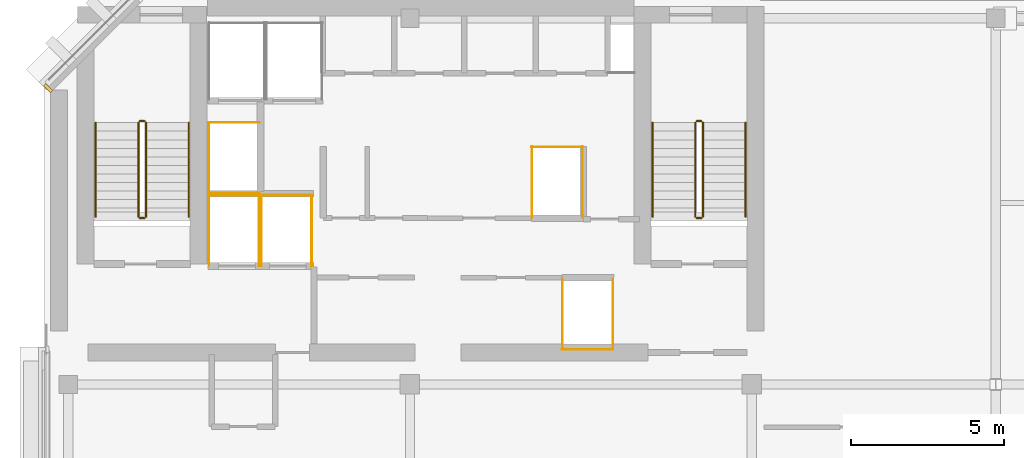
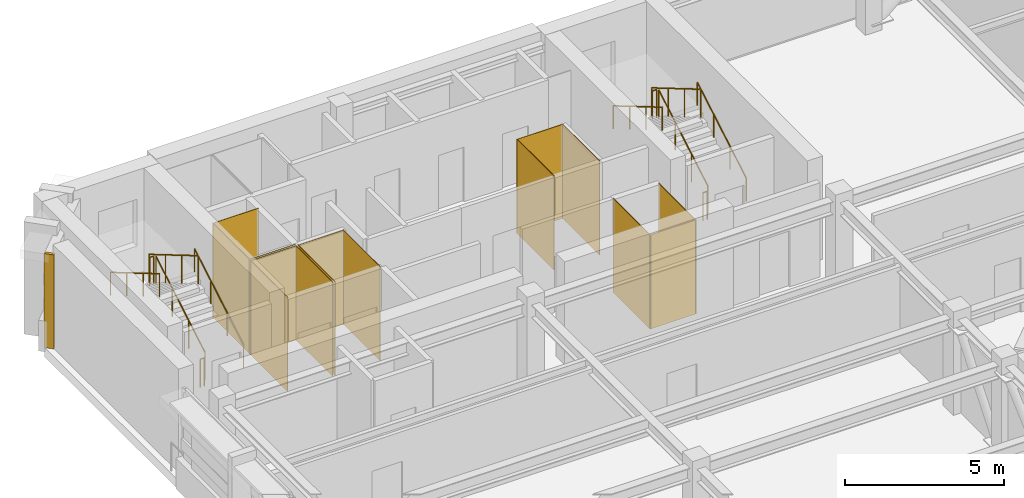
# One storey, part 8 of 9: 16 coverings, 12 railings.
"""IFC4 building model written with IfcOpenShell, lengths in metres."""

from ifc_helpers import new_model, si_unit, direction, frame, origin, origin_2d, place, context, subcontext, project, spatial, polyline, rectangle, circle, outline, extrude, material, layer, layer_set, type_object, element, save


model = new_model("IFC4")

# Units and contexts
model_context = context("Model", 3, precision=1e-05, world=origin(), true_north=direction((0.0, 1.0)))
body_context = subcontext(model_context, "Body", "Model", "MODEL_VIEW")
ifc_project = project(units=[si_unit("LENGTHUNIT", "METRE"), si_unit("AREAUNIT", "SQUARE_METRE"), si_unit("VOLUMEUNIT", "CUBIC_METRE"), si_unit("PLANEANGLEUNIT", "RADIAN"), si_unit("MASSUNIT", "GRAM", prefix="KILO")], contexts=[model_context])

# Site, building, storey
site_placement = place(None, origin())
site = spatial("IfcSite", under=ifc_project, at=site_placement, CompositionType="ELEMENT")
building_placement = place(site_placement, origin())
building = spatial("IfcBuilding", under=site, at=building_placement, Name="Kefirva Bronze Tower", CompositionType="ELEMENT")
storey_placement = place(building_placement, frame((0.0, 0.0, 365.969970703125)))
storey = spatial("IfcBuildingStorey", under=building, at=storey_placement, Name="L89", CompositionType="ELEMENT", Elevation=365.969970703125)

# Coverings
ifc_material_1 = material(Name="Bronze anodised aluminium", Category="aluminium")
ifc_layer = layer(ifc_material_1, 0.02001953125, Name="Bronze anodised aluminium")
ifc_layer_set = layer_set([ifc_layer], Name="Bronze anodised aluminium")
covering_type = type_object("IfcCoveringType", Name="Anodised Bronze Spandrel Cladding 20mm", PredefinedType="CLADDING", material=ifc_layer_set)
covering_1_placement = place(storey_placement, frame((0.137939453125, 42.91162109375, 0.0), z_axis=(0.0, 0.0, 1.0), x_axis=(-0.707106781187, -0.707106781187, 0.0)))
element("IfcCovering", 1, at=covering_1_placement, inside=storey, type_object=covering_type, Name="L89 Facade Joint Closure Panel 6E", PredefinedType="CLADDING", context=body_context, shape_type="SweptSolid", body=[
    extrude(rectangle(XDim=0.10009765625, YDim=0.320068359375, at=origin_2d()), origin(), (0.0, 0.0, 1.0), 3.610107421875),
])
covering_2_placement = place(storey_placement, origin())
element("IfcCovering", 2, at=covering_2_placement, inside=storey, type_object=covering_type, Name="L89 Lift FF1 Hoistway Liner N", PredefinedType="CLADDING", context=body_context, shape_type="SweptSolid", body=[
    extrude(outline(polyline([(5.39990234375, 39.389892578125), (7.080078125, 39.389892578125), (7.080078125, 39.409912109375), (5.39990234375, 39.409912109375), (5.39990234375, 39.389892578125)])), origin(), (0.0, 0.0, 1.0), 3.610107421875),
])
covering_3_placement = place(storey_placement, origin())
element("IfcCovering", 3, at=covering_3_placement, inside=storey, type_object=covering_type, Name="L89 Lift FF1 Hoistway Liner W", PredefinedType="CLADDING", context=body_context, shape_type="SweptSolid", body=[
    extrude(outline(polyline([(5.409912109375, 37.080078125), (5.429931640625, 37.080078125), (5.429931640625, 39.419921875), (5.409912109375, 39.419921875), (5.409912109375, 37.080078125)])), origin(), (0.0, 0.0, 1.0), 3.610107421875),
])
covering_4_placement = place(storey_placement, origin())
element("IfcCovering", 4, at=covering_4_placement, inside=storey, type_object=covering_type, Name="L89 Lift FF1 Hoistway Liner E", PredefinedType="CLADDING", context=body_context, shape_type="SweptSolid", body=[
    extrude(outline(polyline([(7.050048828125, 37.080078125), (7.070068359375, 37.080078125), (7.070068359375, 39.419921875), (7.050048828125, 39.419921875), (7.050048828125, 37.080078125)])), origin(), (0.0, 0.0, 1.0), 3.610107421875),
])
covering_5_placement = place(storey_placement, origin())
element("IfcCovering", 5, at=covering_5_placement, inside=storey, type_object=covering_type, Name="L89 Lift FF2 Hoistway Liner N", PredefinedType="CLADDING", context=body_context, shape_type="SweptSolid", body=[
    extrude(outline(polyline([(7.1201171875, 39.389892578125), (8.800048828125, 39.389892578125), (8.800048828125, 39.409912109375), (7.1201171875, 39.409912109375), (7.1201171875, 39.389892578125)])), origin(), (0.0, 0.0, 1.0), 3.610107421875),
])
covering_6_placement = place(storey_placement, origin())
element("IfcCovering", 6, at=covering_6_placement, inside=storey, type_object=covering_type, Name="L89 Lift FF2 Hoistway Liner W", PredefinedType="CLADDING", context=body_context, shape_type="SweptSolid", body=[
    extrude(outline(polyline([(7.1298828125, 37.080078125), (7.14990234375, 37.080078125), (7.14990234375, 39.419921875), (7.1298828125, 39.419921875), (7.1298828125, 37.080078125)])), origin(), (0.0, 0.0, 1.0), 3.610107421875),
])
covering_7_placement = place(storey_placement, origin())
element("IfcCovering", 7, at=covering_7_placement, inside=storey, type_object=covering_type, Name="L89 Lift FF2 Hoistway Liner E", PredefinedType="CLADDING", context=body_context, shape_type="SweptSolid", body=[
    extrude(outline(polyline([(8.77001953125, 37.080078125), (8.7900390625, 37.080078125), (8.7900390625, 39.419921875), (8.77001953125, 39.419921875), (8.77001953125, 37.080078125)])), origin(), (0.0, 0.0, 1.0), 3.610107421875),
])
covering_8_placement = place(storey_placement, origin())
element("IfcCovering", 8, at=covering_8_placement, inside=storey, type_object=covering_type, Name="L89 Lift HP1 Hoistway Liner S", PredefinedType="CLADDING", context=body_context, shape_type="SweptSolid", body=[
    extrude(outline(polyline([(16.97998046875, 34.340087890625), (18.669921875, 34.340087890625), (18.669921875, 34.360107421875), (16.97998046875, 34.360107421875), (16.97998046875, 34.340087890625)])), origin(), (0.0, 0.0, 1.0), 3.610107421875),
])
covering_9_placement = place(storey_placement, origin())
element("IfcCovering", 9, at=covering_9_placement, inside=storey, type_object=covering_type, Name="L89 Lift HP1 Hoistway Liner W", PredefinedType="CLADDING", context=body_context, shape_type="SweptSolid", body=[
    extrude(outline(polyline([(16.989990234375, 34.330078125), (17.010009765625, 34.330078125), (17.010009765625, 36.669921875), (16.989990234375, 36.669921875), (16.989990234375, 34.330078125)])), origin(), (0.0, 0.0, 1.0), 3.610107421875),
])
covering_10_placement = place(storey_placement, origin())
element("IfcCovering", 10, at=covering_10_placement, inside=storey, type_object=covering_type, Name="L89 Lift HP1 Hoistway Liner E", PredefinedType="CLADDING", context=body_context, shape_type="SweptSolid", body=[
    extrude(outline(polyline([(18.639892578125, 34.330078125), (18.659912109375, 34.330078125), (18.659912109375, 36.669921875), (18.639892578125, 36.669921875), (18.639892578125, 34.330078125)])), origin(), (0.0, 0.0, 1.0), 3.610107421875),
])
covering_11_placement = place(storey_placement, origin())
element("IfcCovering", 11, at=covering_11_placement, inside=storey, type_object=covering_type, Name="L89 Lift HP2 Hoistway Liner N", PredefinedType="CLADDING", context=body_context, shape_type="SweptSolid", body=[
    extrude(outline(polyline([(15.97998046875, 40.969970703125), (17.669921875, 40.969970703125), (17.669921875, 40.989990234375), (15.97998046875, 40.989990234375), (15.97998046875, 40.969970703125)])), origin(), (0.0, 0.0, 1.0), 3.610107421875),
])
covering_12_placement = place(storey_placement, origin())
element("IfcCovering", 12, at=covering_12_placement, inside=storey, type_object=covering_type, Name="L89 Lift HP2 Hoistway Liner W", PredefinedType="CLADDING", context=body_context, shape_type="SweptSolid", body=[
    extrude(outline(polyline([(15.989990234375, 38.659912109375), (16.010009765625, 38.659912109375), (16.010009765625, 41.0), (15.989990234375, 41.0), (15.989990234375, 38.659912109375)])), origin(), (0.0, 0.0, 1.0), 3.610107421875),
])
covering_13_placement = place(storey_placement, origin())
element("IfcCovering", 13, at=covering_13_placement, inside=storey, type_object=covering_type, Name="L89 Lift HP2 Hoistway Liner E", PredefinedType="CLADDING", context=body_context, shape_type="SweptSolid", body=[
    extrude(outline(polyline([(17.639892578125, 38.659912109375), (17.659912109375, 38.659912109375), (17.659912109375, 41.0), (17.639892578125, 41.0), (17.639892578125, 38.659912109375)])), origin(), (0.0, 0.0, 1.0), 3.610107421875),
])
covering_14_placement = place(storey_placement, origin())
element("IfcCovering", 14, at=covering_14_placement, inside=storey, type_object=covering_type, Name="L89 Lift HP3 Hoistway Liner N", PredefinedType="CLADDING", context=body_context, shape_type="SweptSolid", body=[
    extrude(outline(polyline([(5.39990234375, 41.77001953125), (7.080078125, 41.77001953125), (7.080078125, 41.7900390625), (5.39990234375, 41.7900390625), (5.39990234375, 41.77001953125)])), origin(), (0.0, 0.0, 1.0), 3.610107421875),
])
covering_15_placement = place(storey_placement, origin())
element("IfcCovering", 15, at=covering_15_placement, inside=storey, type_object=covering_type, Name="L89 Lift HP3 Hoistway Liner S", PredefinedType="CLADDING", context=body_context, shape_type="SweptSolid", body=[
    extrude(outline(polyline([(5.39990234375, 39.469970703125), (7.080078125, 39.469970703125), (7.080078125, 39.489990234375), (5.39990234375, 39.489990234375), (5.39990234375, 39.469970703125)])), origin(), (0.0, 0.0, 1.0), 3.610107421875),
])
covering_16_placement = place(storey_placement, origin())
element("IfcCovering", 16, at=covering_16_placement, inside=storey, type_object=covering_type, Name="L89 Lift HP3 Hoistway Liner W", PredefinedType="CLADDING", context=body_context, shape_type="SweptSolid", body=[
    extrude(outline(polyline([(5.409912109375, 39.4599609375), (5.429931640625, 39.4599609375), (5.429931640625, 41.800048828125), (5.409912109375, 41.800048828125), (5.409912109375, 39.4599609375)])), origin(), (0.0, 0.0, 1.0), 3.610107421875),
])

# Railings
ifc_material_2 = material(Name="Stainless steel 316", Category="steel")
railing_type_1 = type_object("IfcRailingType", Name="Interior Stair Guardrail 1100mm", PredefinedType="GUARDRAIL", material=ifc_material_2)
railing_1_placement = place(storey_placement, frame((3.35009765625, 38.699951171875, 0.1650390625)))
element("IfcRailing", 17, at=railing_1_placement, inside=storey, type_object=railing_type_1, Name="L89 ST-1 stair guard 1", PredefinedType="GUARDRAIL", context=body_context, shape_type="SweptSolid", body=[
    extrude(circle(Radius=0.02392578125, at=origin_2d()), frame((0.0, 0.0, 1.076171875), z_axis=(0.0, 0.861551262678, 0.507670583921), x_axis=(-1.0, 0.0, 0.0)), (0.0, 0.0, 1.0), 3.574951171875),
    extrude(circle(Radius=0.02099609375, at=origin_2d()), origin(), (0.0, 0.0, 1.0), 1.052001953125),
    extrude(circle(Radius=0.02099609375, at=origin_2d()), frame((0.0, 1.026611328125, 0.60498046875)), (0.0, 0.0, 1.0), 1.052001953125),
    extrude(circle(Radius=0.02099609375, at=origin_2d()), frame((0.0, 2.053466796875, 1.2099609375)), (0.0, 0.0, 1.0), 1.052001953125),
    extrude(circle(Radius=0.02099609375, at=origin_2d()), frame((0.0, 3.080078125, 1.81494140625)), (0.0, 0.0, 1.0), 1.052001953125),
])
railing_2_placement = place(storey_placement, frame((3.300048828125, 41.830078125, 1.97998046875)))
element("IfcRailing", 18, at=railing_2_placement, inside=storey, type_object=railing_type_1, Name="L89 ST-1 stair guard 2", PredefinedType="GUARDRAIL", context=body_context, shape_type="SweptSolid", body=[
    extrude(circle(Radius=0.02392578125, at=origin_2d()), frame((0.0, 0.0, 1.076171875), z_axis=(-1.0, 0.0, 0.0), x_axis=(0.0, -1.0, 0.0)), (0.0, 0.0, 1.0), 0.150146484375),
    extrude(circle(Radius=0.02099609375, at=origin_2d()), origin(), (0.0, 0.0, 1.0), 1.052001953125),
    extrude(circle(Radius=0.02099609375, at=origin_2d()), frame((-0.150146484375, 0.0, 0.0)), (0.0, 0.0, 1.0), 1.052001953125),
])
railing_3_placement = place(storey_placement, frame((3.10009765625, 41.780029296875, 2.14501953125)))
element("IfcRailing", 19, at=railing_3_placement, inside=storey, type_object=railing_type_1, Name="L89 ST-1 stair guard 3", PredefinedType="GUARDRAIL", context=body_context, shape_type="SweptSolid", body=[
    extrude(circle(Radius=0.02392578125, at=origin_2d()), frame((0.0, 0.0, 1.076171875), z_axis=(0.0, -0.861551262678, 0.507670583921), x_axis=(1.0, 0.0, 0.0)), (0.0, 0.0, 1.0), 3.574951171875),
    extrude(circle(Radius=0.02099609375, at=origin_2d()), origin(), (0.0, 0.0, 1.0), 1.052001953125),
    extrude(circle(Radius=0.02099609375, at=origin_2d()), frame((0.0, -1.026611328125, 0.60498046875)), (0.0, 0.0, 1.0), 1.052001953125),
    extrude(circle(Radius=0.02099609375, at=origin_2d()), frame((0.0, -2.053466796875, 1.2099609375)), (0.0, 0.0, 1.0), 1.052001953125),
    extrude(circle(Radius=0.02099609375, at=origin_2d()), frame((0.0, -3.080078125, 1.81494140625)), (0.0, 0.0, 1.0), 1.052001953125),
])
railing_4_placement = place(storey_placement, frame((3.300048828125, 38.64990234375, 0.0)))
element("IfcRailing", 20, at=railing_4_placement, inside=storey, type_object=railing_type_1, Name="L89 ST-1 stair guard 4", PredefinedType="GUARDRAIL", context=body_context, shape_type="SweptSolid", body=[
    extrude(circle(Radius=0.02392578125, at=origin_2d()), frame((0.0, 0.0, 1.076171875), z_axis=(-1.0, 0.0, 0.0), x_axis=(0.0, -1.0, 0.0)), (0.0, 0.0, 1.0), 0.150146484375),
    extrude(circle(Radius=0.02099609375, at=origin_2d()), origin(), (0.0, 0.0, 1.0), 1.052001953125),
    extrude(circle(Radius=0.02099609375, at=origin_2d()), frame((-0.150146484375, 0.0, 0.0)), (0.0, 0.0, 1.0), 1.052001953125),
])
railing_5_placement = place(storey_placement, frame((21.60009765625, 38.699951171875, 0.1650390625)))
element("IfcRailing", 21, at=railing_5_placement, inside=storey, type_object=railing_type_1, Name="L89 ST-2 stair guard 1", PredefinedType="GUARDRAIL", context=body_context, shape_type="SweptSolid", body=[
    extrude(circle(Radius=0.02392578125, at=origin_2d()), frame((0.0, 0.0, 1.076171875), z_axis=(0.0, 0.861551262678, 0.507670583921), x_axis=(-1.0, 0.0, 0.0)), (0.0, 0.0, 1.0), 3.574951171875),
    extrude(circle(Radius=0.02099609375, at=origin_2d()), origin(), (0.0, 0.0, 1.0), 1.052001953125),
    extrude(circle(Radius=0.02099609375, at=origin_2d()), frame((0.0, 1.026611328125, 0.60498046875)), (0.0, 0.0, 1.0), 1.052001953125),
    extrude(circle(Radius=0.02099609375, at=origin_2d()), frame((0.0, 2.053466796875, 1.2099609375)), (0.0, 0.0, 1.0), 1.052001953125),
    extrude(circle(Radius=0.02099609375, at=origin_2d()), frame((0.0, 3.080078125, 1.81494140625)), (0.0, 0.0, 1.0), 1.052001953125),
])
railing_6_placement = place(storey_placement, frame((21.550048828125, 41.830078125, 1.97998046875)))
element("IfcRailing", 22, at=railing_6_placement, inside=storey, type_object=railing_type_1, Name="L89 ST-2 stair guard 2", PredefinedType="GUARDRAIL", context=body_context, shape_type="SweptSolid", body=[
    extrude(circle(Radius=0.02392578125, at=origin_2d()), frame((0.0, 0.0, 1.076171875), z_axis=(-1.0, 0.0, 0.0), x_axis=(0.0, -1.0, 0.0)), (0.0, 0.0, 1.0), 0.150146484375),
    extrude(circle(Radius=0.02099609375, at=origin_2d()), origin(), (0.0, 0.0, 1.0), 1.052001953125),
    extrude(circle(Radius=0.02099609375, at=origin_2d()), frame((-0.150146484375, 0.0, 0.0)), (0.0, 0.0, 1.0), 1.052001953125),
])
railing_7_placement = place(storey_placement, frame((21.35009765625, 41.780029296875, 2.14501953125)))
element("IfcRailing", 23, at=railing_7_placement, inside=storey, type_object=railing_type_1, Name="L89 ST-2 stair guard 3", PredefinedType="GUARDRAIL", context=body_context, shape_type="SweptSolid", body=[
    extrude(circle(Radius=0.02392578125, at=origin_2d()), frame((0.0, 0.0, 1.076171875), z_axis=(0.0, -0.861551262678, 0.507670583921), x_axis=(1.0, 0.0, 0.0)), (0.0, 0.0, 1.0), 3.574951171875),
    extrude(circle(Radius=0.02099609375, at=origin_2d()), origin(), (0.0, 0.0, 1.0), 1.052001953125),
    extrude(circle(Radius=0.02099609375, at=origin_2d()), frame((0.0, -1.026611328125, 0.60498046875)), (0.0, 0.0, 1.0), 1.052001953125),
    extrude(circle(Radius=0.02099609375, at=origin_2d()), frame((0.0, -2.053466796875, 1.2099609375)), (0.0, 0.0, 1.0), 1.052001953125),
    extrude(circle(Radius=0.02099609375, at=origin_2d()), frame((0.0, -3.080078125, 1.81494140625)), (0.0, 0.0, 1.0), 1.052001953125),
])
railing_8_placement = place(storey_placement, frame((21.550048828125, 38.64990234375, 0.0)))
element("IfcRailing", 24, at=railing_8_placement, inside=storey, type_object=railing_type_1, Name="L89 ST-2 stair guard 4", PredefinedType="GUARDRAIL", context=body_context, shape_type="SweptSolid", body=[
    extrude(circle(Radius=0.02392578125, at=origin_2d()), frame((0.0, 0.0, 1.076171875), z_axis=(-1.0, 0.0, 0.0), x_axis=(0.0, -1.0, 0.0)), (0.0, 0.0, 1.0), 0.150146484375),
    extrude(circle(Radius=0.02099609375, at=origin_2d()), origin(), (0.0, 0.0, 1.0), 1.052001953125),
    extrude(circle(Radius=0.02099609375, at=origin_2d()), frame((-0.150146484375, 0.0, 0.0)), (0.0, 0.0, 1.0), 1.052001953125),
])
railing_type_2 = type_object("IfcRailingType", Name="Stair Pitch Handrail 900mm", PredefinedType="HANDRAIL", material=ifc_material_2)
railing_9_placement = place(storey_placement, frame((4.75, 38.699951171875, 0.1650390625)))
element("IfcRailing", 25, at=railing_9_placement, inside=storey, type_object=railing_type_2, Name="L89 ST-1 stair handrail 1", PredefinedType="HANDRAIL", context=body_context, shape_type="SweptSolid", body=[
    extrude(circle(Radius=0.02392578125, at=origin_2d()), frame((0.0, 0.0, 0.8759765625), z_axis=(0.0, 0.861551262678, 0.507670583921), x_axis=(-1.0, 0.0, 0.0)), (0.0, 0.0, 1.0), 3.574951171875),
    extrude(circle(Radius=0.02099609375, at=origin_2d()), origin(), (0.0, 0.0, 1.0), 0.851806640625),
    extrude(circle(Radius=0.02099609375, at=origin_2d()), frame((0.0, 1.026611328125, 0.60498046875)), (0.0, 0.0, 1.0), 0.851806640625),
    extrude(circle(Radius=0.02099609375, at=origin_2d()), frame((0.0, 2.053466796875, 1.2099609375)), (0.0, 0.0, 1.0), 0.851806640625),
    extrude(circle(Radius=0.02099609375, at=origin_2d()), frame((0.0, 3.080078125, 1.81494140625)), (0.0, 0.0, 1.0), 0.851806640625),
])
railing_10_placement = place(storey_placement, frame((1.699951171875, 41.780029296875, 2.14501953125)))
element("IfcRailing", 26, at=railing_10_placement, inside=storey, type_object=railing_type_2, Name="L89 ST-1 stair handrail 2", PredefinedType="HANDRAIL", context=body_context, shape_type="SweptSolid", body=[
    extrude(circle(Radius=0.02392578125, at=origin_2d()), frame((0.0, 0.0, 0.8759765625), z_axis=(0.0, -0.861551262678, 0.507670583921), x_axis=(1.0, 0.0, 0.0)), (0.0, 0.0, 1.0), 3.574951171875),
    extrude(circle(Radius=0.02099609375, at=origin_2d()), origin(), (0.0, 0.0, 1.0), 0.851806640625),
    extrude(circle(Radius=0.02099609375, at=origin_2d()), frame((0.0, -1.026611328125, 0.60498046875)), (0.0, 0.0, 1.0), 0.851806640625),
    extrude(circle(Radius=0.02099609375, at=origin_2d()), frame((0.0, -2.053466796875, 1.2099609375)), (0.0, 0.0, 1.0), 0.851806640625),
    extrude(circle(Radius=0.02099609375, at=origin_2d()), frame((0.0, -3.080078125, 1.81494140625)), (0.0, 0.0, 1.0), 0.851806640625),
])
railing_11_placement = place(storey_placement, frame((23.0, 38.699951171875, 0.1650390625)))
element("IfcRailing", 27, at=railing_11_placement, inside=storey, type_object=railing_type_2, Name="L89 ST-2 stair handrail 1", PredefinedType="HANDRAIL", context=body_context, shape_type="SweptSolid", body=[
    extrude(circle(Radius=0.02392578125, at=origin_2d()), frame((0.0, 0.0, 0.8759765625), z_axis=(0.0, 0.861551262678, 0.507670583921), x_axis=(-1.0, 0.0, 0.0)), (0.0, 0.0, 1.0), 3.574951171875),
    extrude(circle(Radius=0.02099609375, at=origin_2d()), origin(), (0.0, 0.0, 1.0), 0.851806640625),
    extrude(circle(Radius=0.02099609375, at=origin_2d()), frame((0.0, 1.026611328125, 0.60498046875)), (0.0, 0.0, 1.0), 0.851806640625),
    extrude(circle(Radius=0.02099609375, at=origin_2d()), frame((0.0, 2.053466796875, 1.2099609375)), (0.0, 0.0, 1.0), 0.851806640625),
    extrude(circle(Radius=0.02099609375, at=origin_2d()), frame((0.0, 3.080078125, 1.81494140625)), (0.0, 0.0, 1.0), 0.851806640625),
])
railing_12_placement = place(storey_placement, frame((19.949951171875, 41.780029296875, 2.14501953125)))
element("IfcRailing", 28, at=railing_12_placement, inside=storey, type_object=railing_type_2, Name="L89 ST-2 stair handrail 2", PredefinedType="HANDRAIL", context=body_context, shape_type="SweptSolid", body=[
    extrude(circle(Radius=0.02392578125, at=origin_2d()), frame((0.0, 0.0, 0.8759765625), z_axis=(0.0, -0.861551262678, 0.507670583921), x_axis=(1.0, 0.0, 0.0)), (0.0, 0.0, 1.0), 3.574951171875),
    extrude(circle(Radius=0.02099609375, at=origin_2d()), origin(), (0.0, 0.0, 1.0), 0.851806640625),
    extrude(circle(Radius=0.02099609375, at=origin_2d()), frame((0.0, -1.026611328125, 0.60498046875)), (0.0, 0.0, 1.0), 0.851806640625),
    extrude(circle(Radius=0.02099609375, at=origin_2d()), frame((0.0, -2.053466796875, 1.2099609375)), (0.0, 0.0, 1.0), 0.851806640625),
    extrude(circle(Radius=0.02099609375, at=origin_2d()), frame((0.0, -3.080078125, 1.81494140625)), (0.0, 0.0, 1.0), 0.851806640625),
])

save(model, "model.ifc")
